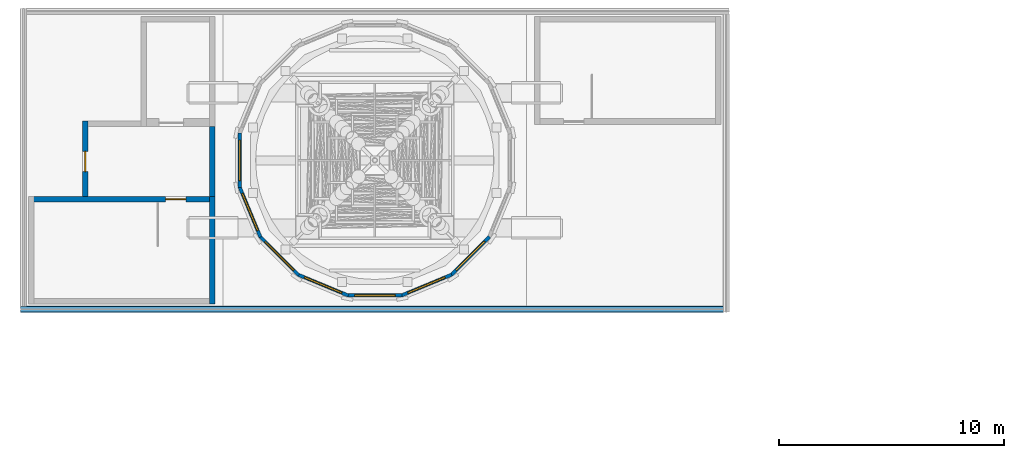
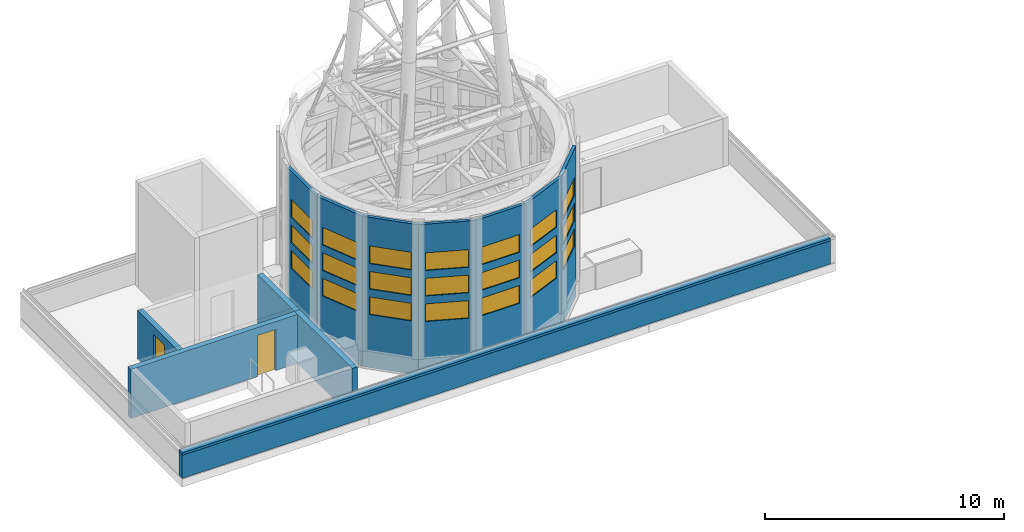
# One storey, part 11 of 36: 21 windows, 13 walls, 2 doors, 23 openings.
"""IFC4 building model written with IfcOpenShell, lengths in metres."""

from ifc_helpers import new_model, si_unit, direction, frame, frame_2d, origin, place, context, subcontext, project, spatial, rectangle, extrude, material, layer, layer_set, type_object, element, fill, save


model = new_model("IFC4")

# Units and contexts
model_context = context("Model", 3, precision=1e-05, world=origin(), true_north=direction((0.0, 1.0)))
body_context = subcontext(model_context, "Body", "Model", "MODEL_VIEW")
ifc_project = project(units=[si_unit("LENGTHUNIT", "METRE"), si_unit("AREAUNIT", "SQUARE_METRE"), si_unit("VOLUMEUNIT", "CUBIC_METRE"), si_unit("PLANEANGLEUNIT", "RADIAN"), si_unit("MASSUNIT", "GRAM", prefix="KILO")], contexts=[model_context])

# Site, building, storey
site_placement = place(None, origin())
site = spatial("IfcSite", under=ifc_project, at=site_placement, CompositionType="ELEMENT")
building_placement = place(site_placement, origin())
building = spatial("IfcBuilding", under=site, at=building_placement, Name="Ipe Terrace Towers", CompositionType="ELEMENT")
storey_placement = place(building_placement, frame((0.0, 0.0, 264.89990234375)))
storey = spatial("IfcBuildingStorey", under=building, at=storey_placement, Name="Roof", CompositionType="ELEMENT", Elevation=264.89990234375)

# Walls
ifc_material_1 = material(Name="Concrete C40/50 with buff precast cladding", Category="concrete")
ifc_layer_1 = layer(ifc_material_1, 0.300048828125)
ifc_layer_set_1 = layer_set([ifc_layer_1], Name="PARAPET COPING 300")
wall_type_1 = type_object("IfcWallType", Name="PARAPET COPING 300", PredefinedType="STANDARD", material=ifc_layer_set_1)
wall_1_placement = place(storey_placement, frame((-51.75, -6.625, 1.239990234375), z_axis=(0.0, 0.0, 1.0), x_axis=(1.0, 0.0, 0.0)))
element("IfcWall", 1, at=wall_1_placement, inside=storey, type_object=wall_type_1, Name="parapet stone coping", PredefinedType="STANDARD", context=body_context, shape_type="SweptSolid", body=[
    extrude(rectangle(XDim=31.25, YDim=0.300048828125, at=frame_2d((15.625, 0.0))), origin(), (0.0, 0.0, 1.0), 0.1201171875),
])
ifc_material_2 = material(Name="Concrete C40/50 with buff precast cladding", Category="concrete")
ifc_layer_2 = layer(ifc_material_2, 0.25)
ifc_layer_set_2 = layer_set([ifc_layer_2], Name="PARAPET WALL 250")
wall_type_2 = type_object("IfcWallType", Name="PARAPET WALL 250", PredefinedType="STANDARD", material=ifc_layer_set_2)
wall_2_placement = place(storey_placement, frame((-51.75, -6.625, 0.0400390625), z_axis=(0.0, 0.0, 1.0), x_axis=(1.0, 0.0, 0.0)))
element("IfcWall", 2, at=wall_2_placement, inside=storey, type_object=wall_type_2, Name="parapet", PredefinedType="STANDARD", context=body_context, shape_type="SweptSolid", body=[
    extrude(rectangle(XDim=31.25, YDim=0.25, at=frame_2d((15.625, 0.0))), origin(), (0.0, 0.0, 1.0), 1.199951171875),
])

# Wall, openings, windows
ifc_material_3 = material(Name="Concrete C40/50 with buff precast cladding", Category="concrete")
ifc_layer_3 = layer(ifc_material_3, 0.14990234375)
ifc_layer_set_3 = layer_set([ifc_layer_3], Name="PLANT DRUM WALL 150")
wall_type_3 = type_object("IfcWallType", Name="PLANT DRUM WALL 150", PredefinedType="STANDARD", material=ifc_layer_set_3)
wall_3_placement = place(storey_placement, frame((-42.006103515625, 1.2099609375, 0.0400390625), z_axis=(0.0, 0.0, 1.0), x_axis=(0.0, -1.0, 0.0)))
wall_3 = element("IfcWall", 3, at=wall_3_placement, inside=storey, type_object=wall_type_3, Name="plant drum wall", PredefinedType="STANDARD", context=body_context, shape_type="SweptSolid", body=[
    extrude(rectangle(XDim=2.419921875, YDim=0.14990234375, at=frame_2d((1.2099609375, 0.0))), origin(), (0.0, 0.0, 1.0), 7.66015625),
])
opening_1_placement = place(wall_3_placement, frame((0.31005859375, 0.0, 2.699951171875)))
opening_1 = element("IfcOpeningElement", 4, at=opening_1_placement, cuts=wall_3, Name="Opening T1-W-04-DR-071", PredefinedType="OPENING", context=body_context, shape_type="SweptSolid", body=[
    extrude(rectangle(XDim=1.800048828125, YDim=0.89990234375, at=frame_2d((0.89990234375, 0.449951171875))), frame((0.0, 0.0849609375, 0.0), z_axis=(0.0, -1.0, 0.0), x_axis=(1.0, 0.0, 0.0)), (0.0, 0.0, 1.0), 0.169921875),
])
opening_2_placement = place(wall_3_placement, frame((0.31005859375, 0.0, 4.0)))
opening_2 = element("IfcOpeningElement", 5, at=opening_2_placement, cuts=wall_3, Name="Opening T1-W-04-DR-072", PredefinedType="OPENING", context=body_context, shape_type="SweptSolid", body=[
    extrude(rectangle(XDim=1.800048828125, YDim=0.89990234375, at=frame_2d((0.89990234375, 0.449951171875))), frame((0.0, 0.0849609375, 0.0), z_axis=(0.0, -1.0, 0.0), x_axis=(1.0, 0.0, 0.0)), (0.0, 0.0, 1.0), 0.169921875),
])
opening_3_placement = place(wall_3_placement, frame((0.31005859375, 0.0, 5.300048828125)))
opening_3 = element("IfcOpeningElement", 6, at=opening_3_placement, cuts=wall_3, Name="Opening T1-W-04-DR-073", PredefinedType="OPENING", context=body_context, shape_type="SweptSolid", body=[
    extrude(rectangle(XDim=1.800048828125, YDim=0.89990234375, at=frame_2d((0.89990234375, 0.449951171875))), frame((0.0, 0.0849609375, 0.0), z_axis=(0.0, -1.0, 0.0), x_axis=(1.0, 0.0, 0.0)), (0.0, 0.0, 1.0), 0.169921875),
])
ifc_material_4 = material(Name="Aluminium alloy 6063-T6 louvre", Category="aluminium")
window_type = type_object("IfcWindowType", Name="LOUVRE WINDOW 1800 x 900", PartitioningType="SINGLE_PANEL", PredefinedType="WINDOW", material=ifc_material_4)
window_1_placement = place(opening_1_placement, origin())
window_1 = element("IfcWindow", 7, at=window_1_placement, inside=storey, type_object=window_type, Name="W-04 window", OverallHeight=0.89990234375, OverallWidth=1.800048828125, PartitioningType="SINGLE_PANEL", PredefinedType="WINDOW", context=body_context, shape_type="SweptSolid", body=[
    extrude(rectangle(XDim=1.800048828125, YDim=0.89990234375, at=frame_2d((0.89990234375, 0.449951171875))), frame((0.0, 0.030029296875, 0.0), z_axis=(0.0, -1.0, 0.0), x_axis=(1.0, 0.0, 0.0)), (0.0, 0.0, 1.0), 0.06005859375),
])
fill(opening_1, window_1)
window_2_placement = place(opening_2_placement, origin())
window_2 = element("IfcWindow", 8, at=window_2_placement, inside=storey, type_object=window_type, Name="W-04 window", OverallHeight=0.89990234375, OverallWidth=1.800048828125, PartitioningType="SINGLE_PANEL", PredefinedType="WINDOW", context=body_context, shape_type="SweptSolid", body=[
    extrude(rectangle(XDim=1.800048828125, YDim=0.89990234375, at=frame_2d((0.89990234375, 0.449951171875))), frame((0.0, 0.030029296875, 0.0), z_axis=(0.0, -1.0, 0.0), x_axis=(1.0, 0.0, 0.0)), (0.0, 0.0, 1.0), 0.06005859375),
])
fill(opening_2, window_2)
window_3_placement = place(opening_3_placement, origin())
window_3 = element("IfcWindow", 9, at=window_3_placement, inside=storey, type_object=window_type, Name="W-04 window", OverallHeight=0.89990234375, OverallWidth=1.800048828125, PartitioningType="SINGLE_PANEL", PredefinedType="WINDOW", context=body_context, shape_type="SweptSolid", body=[
    extrude(rectangle(XDim=1.800048828125, YDim=0.89990234375, at=frame_2d((0.89990234375, 0.449951171875))), frame((0.0, 0.030029296875, 0.0), z_axis=(0.0, -1.0, 0.0), x_axis=(1.0, 0.0, 0.0)), (0.0, 0.0, 1.0), 0.06005859375),
])
fill(opening_3, window_3)

wall_4_placement = place(storey_placement, frame((-42.011962890625, -1.180908203125, 0.0400390625), z_axis=(0.0, 0.0, 1.0), x_axis=(0.382758783979, -0.923848317251, 0.0)))
wall_4 = element("IfcWall", 10, at=wall_4_placement, inside=storey, type_object=wall_type_3, Name="plant drum wall", PredefinedType="STANDARD", context=body_context, shape_type="SweptSolid", body=[
    extrude(rectangle(XDim=2.41943359375, YDim=0.14990234375, at=frame_2d((1.209716796875, 0.0))), origin(), (0.0, 0.0, 1.0), 7.66015625),
])
opening_4_placement = place(wall_4_placement, frame((0.31005859375, 0.0, 2.699951171875)))
opening_4 = element("IfcOpeningElement", 11, at=opening_4_placement, cuts=wall_4, Name="Opening T1-W-04-DR-081", PredefinedType="OPENING", context=body_context, shape_type="SweptSolid", body=[
    extrude(rectangle(XDim=1.800048828125, YDim=0.89990234375, at=frame_2d((0.89990234375, 0.449951171875))), frame((0.0, 0.0849609375, 0.0), z_axis=(0.0, -1.0, 0.0), x_axis=(1.0, 0.0, 0.0)), (0.0, 0.0, 1.0), 0.169921875),
])
opening_5_placement = place(wall_4_placement, frame((0.31005859375, 0.0, 4.0)))
opening_5 = element("IfcOpeningElement", 12, at=opening_5_placement, cuts=wall_4, Name="Opening T1-W-04-DR-082", PredefinedType="OPENING", context=body_context, shape_type="SweptSolid", body=[
    extrude(rectangle(XDim=1.800048828125, YDim=0.89990234375, at=frame_2d((0.89990234375, 0.449951171875))), frame((0.0, 0.0849609375, 0.0), z_axis=(0.0, -1.0, 0.0), x_axis=(1.0, 0.0, 0.0)), (0.0, 0.0, 1.0), 0.169921875),
])
opening_6_placement = place(wall_4_placement, frame((0.31005859375, 0.0, 5.300048828125)))
opening_6 = element("IfcOpeningElement", 13, at=opening_6_placement, cuts=wall_4, Name="Opening T1-W-04-DR-083", PredefinedType="OPENING", context=body_context, shape_type="SweptSolid", body=[
    extrude(rectangle(XDim=1.800048828125, YDim=0.89990234375, at=frame_2d((0.89990234375, 0.449951171875))), frame((0.0, 0.0849609375, 0.0), z_axis=(0.0, -1.0, 0.0), x_axis=(1.0, 0.0, 0.0)), (0.0, 0.0, 1.0), 0.169921875),
])
window_4_placement = place(opening_4_placement, origin())
window_4 = element("IfcWindow", 14, at=window_4_placement, inside=storey, type_object=window_type, Name="W-04 window", OverallHeight=0.89990234375, OverallWidth=1.800048828125, PartitioningType="SINGLE_PANEL", PredefinedType="WINDOW", context=body_context, shape_type="SweptSolid", body=[
    extrude(rectangle(XDim=1.800048828125, YDim=0.89990234375, at=frame_2d((0.89990234375, 0.449951171875))), frame((0.0, 0.030029296875, 0.0), z_axis=(0.0, -1.0, 0.0), x_axis=(1.0, 0.0, 0.0)), (0.0, 0.0, 1.0), 0.06005859375),
])
fill(opening_4, window_4)
window_5_placement = place(opening_5_placement, origin())
window_5 = element("IfcWindow", 15, at=window_5_placement, inside=storey, type_object=window_type, Name="W-04 window", OverallHeight=0.89990234375, OverallWidth=1.800048828125, PartitioningType="SINGLE_PANEL", PredefinedType="WINDOW", context=body_context, shape_type="SweptSolid", body=[
    extrude(rectangle(XDim=1.800048828125, YDim=0.89990234375, at=frame_2d((0.89990234375, 0.449951171875))), frame((0.0, 0.030029296875, 0.0), z_axis=(0.0, -1.0, 0.0), x_axis=(1.0, 0.0, 0.0)), (0.0, 0.0, 1.0), 0.06005859375),
])
fill(opening_5, window_5)
window_6_placement = place(opening_6_placement, origin())
window_6 = element("IfcWindow", 16, at=window_6_placement, inside=storey, type_object=window_type, Name="W-04 window", OverallHeight=0.89990234375, OverallWidth=1.800048828125, PartitioningType="SINGLE_PANEL", PredefinedType="WINDOW", context=body_context, shape_type="SweptSolid", body=[
    extrude(rectangle(XDim=1.800048828125, YDim=0.89990234375, at=frame_2d((0.89990234375, 0.449951171875))), frame((0.0, 0.030029296875, 0.0), z_axis=(0.0, -1.0, 0.0), x_axis=(1.0, 0.0, 0.0)), (0.0, 0.0, 1.0), 0.06005859375),
])
fill(opening_6, window_6)

wall_5_placement = place(storey_placement, frame((-41.10205078125, -3.39208984375, 0.0400390625), z_axis=(0.0, 0.0, 1.0), x_axis=(0.707106781187, -0.707106781187, 0.0)))
wall_5 = element("IfcWall", 17, at=wall_5_placement, inside=storey, type_object=wall_type_3, Name="plant drum wall", PredefinedType="STANDARD", context=body_context, shape_type="SweptSolid", body=[
    extrude(rectangle(XDim=2.418212890625, YDim=0.14990234375, at=frame_2d((1.208984375, 0.0))), origin(), (0.0, 0.0, 1.0), 7.66015625),
])
opening_7_placement = place(wall_5_placement, frame((0.31005859375, 0.0, 2.699951171875)))
opening_7 = element("IfcOpeningElement", 18, at=opening_7_placement, cuts=wall_5, Name="Opening T1-W-04-DR-091", PredefinedType="OPENING", context=body_context, shape_type="SweptSolid", body=[
    extrude(rectangle(XDim=1.800048828125, YDim=0.89990234375, at=frame_2d((0.89990234375, 0.449951171875))), frame((0.0, 0.0849609375, 0.0), z_axis=(0.0, -1.0, 0.0), x_axis=(1.0, 0.0, 0.0)), (0.0, 0.0, 1.0), 0.169921875),
])
opening_8_placement = place(wall_5_placement, frame((0.31005859375, 0.0, 4.0)))
opening_8 = element("IfcOpeningElement", 19, at=opening_8_placement, cuts=wall_5, Name="Opening T1-W-04-DR-092", PredefinedType="OPENING", context=body_context, shape_type="SweptSolid", body=[
    extrude(rectangle(XDim=1.800048828125, YDim=0.89990234375, at=frame_2d((0.89990234375, 0.449951171875))), frame((0.0, 0.0849609375, 0.0), z_axis=(0.0, -1.0, 0.0), x_axis=(1.0, 0.0, 0.0)), (0.0, 0.0, 1.0), 0.169921875),
])
opening_9_placement = place(wall_5_placement, frame((0.31005859375, 0.0, 5.300048828125)))
opening_9 = element("IfcOpeningElement", 20, at=opening_9_placement, cuts=wall_5, Name="Opening T1-W-04-DR-093", PredefinedType="OPENING", context=body_context, shape_type="SweptSolid", body=[
    extrude(rectangle(XDim=1.800048828125, YDim=0.89990234375, at=frame_2d((0.89990234375, 0.449951171875))), frame((0.0, 0.0849609375, 0.0), z_axis=(0.0, -1.0, 0.0), x_axis=(1.0, 0.0, 0.0)), (0.0, 0.0, 1.0), 0.169921875),
])
window_7_placement = place(opening_7_placement, origin())
window_7 = element("IfcWindow", 21, at=window_7_placement, inside=storey, type_object=window_type, Name="W-04 window", OverallHeight=0.89990234375, OverallWidth=1.800048828125, PartitioningType="SINGLE_PANEL", PredefinedType="WINDOW", context=body_context, shape_type="SweptSolid", body=[
    extrude(rectangle(XDim=1.800048828125, YDim=0.89990234375, at=frame_2d((0.89990234375, 0.449951171875))), frame((0.0, 0.030029296875, 0.0), z_axis=(0.0, -1.0, 0.0), x_axis=(1.0, 0.0, 0.0)), (0.0, 0.0, 1.0), 0.06005859375),
])
fill(opening_7, window_7)
window_8_placement = place(opening_8_placement, origin())
window_8 = element("IfcWindow", 22, at=window_8_placement, inside=storey, type_object=window_type, Name="W-04 window", OverallHeight=0.89990234375, OverallWidth=1.800048828125, PartitioningType="SINGLE_PANEL", PredefinedType="WINDOW", context=body_context, shape_type="SweptSolid", body=[
    extrude(rectangle(XDim=1.800048828125, YDim=0.89990234375, at=frame_2d((0.89990234375, 0.449951171875))), frame((0.0, 0.030029296875, 0.0), z_axis=(0.0, -1.0, 0.0), x_axis=(1.0, 0.0, 0.0)), (0.0, 0.0, 1.0), 0.06005859375),
])
fill(opening_8, window_8)
window_9_placement = place(opening_9_placement, origin())
window_9 = element("IfcWindow", 23, at=window_9_placement, inside=storey, type_object=window_type, Name="W-04 window", OverallHeight=0.89990234375, OverallWidth=1.800048828125, PartitioningType="SINGLE_PANEL", PredefinedType="WINDOW", context=body_context, shape_type="SweptSolid", body=[
    extrude(rectangle(XDim=1.800048828125, YDim=0.89990234375, at=frame_2d((0.89990234375, 0.449951171875))), frame((0.0, 0.030029296875, 0.0), z_axis=(0.0, -1.0, 0.0), x_axis=(1.0, 0.0, 0.0)), (0.0, 0.0, 1.0), 0.06005859375),
])
fill(opening_9, window_9)

wall_6_placement = place(storey_placement, frame((-39.416015625, -5.0859375, 0.0400390625), z_axis=(0.0, 0.0, 1.0), x_axis=(0.923848317251, -0.382758783979, 0.0)))
wall_6 = element("IfcWall", 24, at=wall_6_placement, inside=storey, type_object=wall_type_3, Name="plant drum wall", PredefinedType="STANDARD", context=body_context, shape_type="SweptSolid", body=[
    extrude(rectangle(XDim=2.41943359375, YDim=0.14990234375, at=frame_2d((1.209716796875, 0.0))), origin(), (0.0, 0.0, 1.0), 7.66015625),
])
opening_10_placement = place(wall_6_placement, frame((0.31005859375, 0.0, 2.699951171875)))
opening_10 = element("IfcOpeningElement", 25, at=opening_10_placement, cuts=wall_6, Name="Opening T1-W-04-DR-101", PredefinedType="OPENING", context=body_context, shape_type="SweptSolid", body=[
    extrude(rectangle(XDim=1.800048828125, YDim=0.89990234375, at=frame_2d((0.89990234375, 0.449951171875))), frame((0.0, 0.0849609375, 0.0), z_axis=(0.0, -1.0, 0.0), x_axis=(1.0, 0.0, 0.0)), (0.0, 0.0, 1.0), 0.169921875),
])
opening_11_placement = place(wall_6_placement, frame((0.31005859375, 0.0, 4.0)))
opening_11 = element("IfcOpeningElement", 26, at=opening_11_placement, cuts=wall_6, Name="Opening T1-W-04-DR-102", PredefinedType="OPENING", context=body_context, shape_type="SweptSolid", body=[
    extrude(rectangle(XDim=1.800048828125, YDim=0.89990234375, at=frame_2d((0.89990234375, 0.449951171875))), frame((0.0, 0.0849609375, 0.0), z_axis=(0.0, -1.0, 0.0), x_axis=(1.0, 0.0, 0.0)), (0.0, 0.0, 1.0), 0.169921875),
])
opening_12_placement = place(wall_6_placement, frame((0.31005859375, 0.0, 5.300048828125)))
opening_12 = element("IfcOpeningElement", 27, at=opening_12_placement, cuts=wall_6, Name="Opening T1-W-04-DR-103", PredefinedType="OPENING", context=body_context, shape_type="SweptSolid", body=[
    extrude(rectangle(XDim=1.800048828125, YDim=0.89990234375, at=frame_2d((0.89990234375, 0.449951171875))), frame((0.0, 0.0849609375, 0.0), z_axis=(0.0, -1.0, 0.0), x_axis=(1.0, 0.0, 0.0)), (0.0, 0.0, 1.0), 0.169921875),
])
window_10_placement = place(opening_10_placement, origin())
window_10 = element("IfcWindow", 28, at=window_10_placement, inside=storey, type_object=window_type, Name="W-04 window", OverallHeight=0.89990234375, OverallWidth=1.800048828125, PartitioningType="SINGLE_PANEL", PredefinedType="WINDOW", context=body_context, shape_type="SweptSolid", body=[
    extrude(rectangle(XDim=1.800048828125, YDim=0.89990234375, at=frame_2d((0.89990234375, 0.449951171875))), frame((0.0, 0.030029296875, 0.0), z_axis=(0.0, -1.0, 0.0), x_axis=(1.0, 0.0, 0.0)), (0.0, 0.0, 1.0), 0.06005859375),
])
fill(opening_10, window_10)
window_11_placement = place(opening_11_placement, origin())
window_11 = element("IfcWindow", 29, at=window_11_placement, inside=storey, type_object=window_type, Name="W-04 window", OverallHeight=0.89990234375, OverallWidth=1.800048828125, PartitioningType="SINGLE_PANEL", PredefinedType="WINDOW", context=body_context, shape_type="SweptSolid", body=[
    extrude(rectangle(XDim=1.800048828125, YDim=0.89990234375, at=frame_2d((0.89990234375, 0.449951171875))), frame((0.0, 0.030029296875, 0.0), z_axis=(0.0, -1.0, 0.0), x_axis=(1.0, 0.0, 0.0)), (0.0, 0.0, 1.0), 0.06005859375),
])
fill(opening_11, window_11)
window_12_placement = place(opening_12_placement, origin())
window_12 = element("IfcWindow", 30, at=window_12_placement, inside=storey, type_object=window_type, Name="W-04 window", OverallHeight=0.89990234375, OverallWidth=1.800048828125, PartitioningType="SINGLE_PANEL", PredefinedType="WINDOW", context=body_context, shape_type="SweptSolid", body=[
    extrude(rectangle(XDim=1.800048828125, YDim=0.89990234375, at=frame_2d((0.89990234375, 0.449951171875))), frame((0.0, 0.030029296875, 0.0), z_axis=(0.0, -1.0, 0.0), x_axis=(1.0, 0.0, 0.0)), (0.0, 0.0, 1.0), 0.06005859375),
])
fill(opening_12, window_12)

wall_7_placement = place(storey_placement, frame((-37.2099609375, -6.006103515625, 0.0400390625), z_axis=(0.0, 0.0, 1.0), x_axis=(1.0, 0.0, 0.0)))
wall_7 = element("IfcWall", 31, at=wall_7_placement, inside=storey, type_object=wall_type_3, Name="plant drum wall", PredefinedType="STANDARD", context=body_context, shape_type="SweptSolid", body=[
    extrude(rectangle(XDim=2.419921875, YDim=0.14990234375, at=frame_2d((1.2099609375, 0.0))), origin(), (0.0, 0.0, 1.0), 7.66015625),
])
opening_13_placement = place(wall_7_placement, frame((0.31005859375, 0.0, 2.699951171875)))
opening_13 = element("IfcOpeningElement", 32, at=opening_13_placement, cuts=wall_7, Name="Opening T1-W-04-DR-111", PredefinedType="OPENING", context=body_context, shape_type="SweptSolid", body=[
    extrude(rectangle(XDim=1.800048828125, YDim=0.89990234375, at=frame_2d((0.89990234375, 0.449951171875))), frame((0.0, 0.0849609375, 0.0), z_axis=(0.0, -1.0, 0.0), x_axis=(1.0, 0.0, 0.0)), (0.0, 0.0, 1.0), 0.169921875),
])
opening_14_placement = place(wall_7_placement, frame((0.31005859375, 0.0, 4.0)))
opening_14 = element("IfcOpeningElement", 33, at=opening_14_placement, cuts=wall_7, Name="Opening T1-W-04-DR-112", PredefinedType="OPENING", context=body_context, shape_type="SweptSolid", body=[
    extrude(rectangle(XDim=1.800048828125, YDim=0.89990234375, at=frame_2d((0.89990234375, 0.449951171875))), frame((0.0, 0.0849609375, 0.0), z_axis=(0.0, -1.0, 0.0), x_axis=(1.0, 0.0, 0.0)), (0.0, 0.0, 1.0), 0.169921875),
])
opening_15_placement = place(wall_7_placement, frame((0.31005859375, 0.0, 5.300048828125)))
opening_15 = element("IfcOpeningElement", 34, at=opening_15_placement, cuts=wall_7, Name="Opening T1-W-04-DR-113", PredefinedType="OPENING", context=body_context, shape_type="SweptSolid", body=[
    extrude(rectangle(XDim=1.800048828125, YDim=0.89990234375, at=frame_2d((0.89990234375, 0.449951171875))), frame((0.0, 0.0849609375, 0.0), z_axis=(0.0, -1.0, 0.0), x_axis=(1.0, 0.0, 0.0)), (0.0, 0.0, 1.0), 0.169921875),
])
window_13_placement = place(opening_13_placement, origin())
window_13 = element("IfcWindow", 35, at=window_13_placement, inside=storey, type_object=window_type, Name="W-04 window", OverallHeight=0.89990234375, OverallWidth=1.800048828125, PartitioningType="SINGLE_PANEL", PredefinedType="WINDOW", context=body_context, shape_type="SweptSolid", body=[
    extrude(rectangle(XDim=1.800048828125, YDim=0.89990234375, at=frame_2d((0.89990234375, 0.449951171875))), frame((0.0, 0.030029296875, 0.0), z_axis=(0.0, -1.0, 0.0), x_axis=(1.0, 0.0, 0.0)), (0.0, 0.0, 1.0), 0.06005859375),
])
fill(opening_13, window_13)
window_14_placement = place(opening_14_placement, origin())
window_14 = element("IfcWindow", 36, at=window_14_placement, inside=storey, type_object=window_type, Name="W-04 window", OverallHeight=0.89990234375, OverallWidth=1.800048828125, PartitioningType="SINGLE_PANEL", PredefinedType="WINDOW", context=body_context, shape_type="SweptSolid", body=[
    extrude(rectangle(XDim=1.800048828125, YDim=0.89990234375, at=frame_2d((0.89990234375, 0.449951171875))), frame((0.0, 0.030029296875, 0.0), z_axis=(0.0, -1.0, 0.0), x_axis=(1.0, 0.0, 0.0)), (0.0, 0.0, 1.0), 0.06005859375),
])
fill(opening_14, window_14)
window_15_placement = place(opening_15_placement, origin())
window_15 = element("IfcWindow", 37, at=window_15_placement, inside=storey, type_object=window_type, Name="W-04 window", OverallHeight=0.89990234375, OverallWidth=1.800048828125, PartitioningType="SINGLE_PANEL", PredefinedType="WINDOW", context=body_context, shape_type="SweptSolid", body=[
    extrude(rectangle(XDim=1.800048828125, YDim=0.89990234375, at=frame_2d((0.89990234375, 0.449951171875))), frame((0.0, 0.030029296875, 0.0), z_axis=(0.0, -1.0, 0.0), x_axis=(1.0, 0.0, 0.0)), (0.0, 0.0, 1.0), 0.06005859375),
])
fill(opening_15, window_15)

wall_8_placement = place(storey_placement, frame((-34.819091796875, -6.011962890625, 0.0400390625), z_axis=(0.0, 0.0, 1.0), x_axis=(0.923848317251, 0.382758783979, 0.0)))
wall_8 = element("IfcWall", 38, at=wall_8_placement, inside=storey, type_object=wall_type_3, Name="plant drum wall", PredefinedType="STANDARD", context=body_context, shape_type="SweptSolid", body=[
    extrude(rectangle(XDim=2.41943359375, YDim=0.14990234375, at=frame_2d((1.209716796875, 0.0))), origin(), (0.0, 0.0, 1.0), 7.66015625),
])
opening_16_placement = place(wall_8_placement, frame((0.31005859375, 0.0, 2.699951171875)))
opening_16 = element("IfcOpeningElement", 39, at=opening_16_placement, cuts=wall_8, Name="Opening T1-W-04-DR-121", PredefinedType="OPENING", context=body_context, shape_type="SweptSolid", body=[
    extrude(rectangle(XDim=1.800048828125, YDim=0.89990234375, at=frame_2d((0.89990234375, 0.449951171875))), frame((0.0, 0.0849609375, 0.0), z_axis=(0.0, -1.0, 0.0), x_axis=(1.0, 0.0, 0.0)), (0.0, 0.0, 1.0), 0.169921875),
])
opening_17_placement = place(wall_8_placement, frame((0.31005859375, 0.0, 4.0)))
opening_17 = element("IfcOpeningElement", 40, at=opening_17_placement, cuts=wall_8, Name="Opening T1-W-04-DR-122", PredefinedType="OPENING", context=body_context, shape_type="SweptSolid", body=[
    extrude(rectangle(XDim=1.800048828125, YDim=0.89990234375, at=frame_2d((0.89990234375, 0.449951171875))), frame((0.0, 0.0849609375, 0.0), z_axis=(0.0, -1.0, 0.0), x_axis=(1.0, 0.0, 0.0)), (0.0, 0.0, 1.0), 0.169921875),
])
opening_18_placement = place(wall_8_placement, frame((0.31005859375, 0.0, 5.300048828125)))
opening_18 = element("IfcOpeningElement", 41, at=opening_18_placement, cuts=wall_8, Name="Opening T1-W-04-DR-123", PredefinedType="OPENING", context=body_context, shape_type="SweptSolid", body=[
    extrude(rectangle(XDim=1.800048828125, YDim=0.89990234375, at=frame_2d((0.89990234375, 0.449951171875))), frame((0.0, 0.0849609375, 0.0), z_axis=(0.0, -1.0, 0.0), x_axis=(1.0, 0.0, 0.0)), (0.0, 0.0, 1.0), 0.169921875),
])
window_16_placement = place(opening_16_placement, origin())
window_16 = element("IfcWindow", 42, at=window_16_placement, inside=storey, type_object=window_type, Name="W-04 window", OverallHeight=0.89990234375, OverallWidth=1.800048828125, PartitioningType="SINGLE_PANEL", PredefinedType="WINDOW", context=body_context, shape_type="SweptSolid", body=[
    extrude(rectangle(XDim=1.800048828125, YDim=0.89990234375, at=frame_2d((0.89990234375, 0.449951171875))), frame((0.0, 0.030029296875, 0.0), z_axis=(0.0, -1.0, 0.0), x_axis=(1.0, 0.0, 0.0)), (0.0, 0.0, 1.0), 0.06005859375),
])
fill(opening_16, window_16)
window_17_placement = place(opening_17_placement, origin())
window_17 = element("IfcWindow", 43, at=window_17_placement, inside=storey, type_object=window_type, Name="W-04 window", OverallHeight=0.89990234375, OverallWidth=1.800048828125, PartitioningType="SINGLE_PANEL", PredefinedType="WINDOW", context=body_context, shape_type="SweptSolid", body=[
    extrude(rectangle(XDim=1.800048828125, YDim=0.89990234375, at=frame_2d((0.89990234375, 0.449951171875))), frame((0.0, 0.030029296875, 0.0), z_axis=(0.0, -1.0, 0.0), x_axis=(1.0, 0.0, 0.0)), (0.0, 0.0, 1.0), 0.06005859375),
])
fill(opening_17, window_17)
window_18_placement = place(opening_18_placement, origin())
window_18 = element("IfcWindow", 44, at=window_18_placement, inside=storey, type_object=window_type, Name="W-04 window", OverallHeight=0.89990234375, OverallWidth=1.800048828125, PartitioningType="SINGLE_PANEL", PredefinedType="WINDOW", context=body_context, shape_type="SweptSolid", body=[
    extrude(rectangle(XDim=1.800048828125, YDim=0.89990234375, at=frame_2d((0.89990234375, 0.449951171875))), frame((0.0, 0.030029296875, 0.0), z_axis=(0.0, -1.0, 0.0), x_axis=(1.0, 0.0, 0.0)), (0.0, 0.0, 1.0), 0.06005859375),
])
fill(opening_18, window_18)

wall_9_placement = place(storey_placement, frame((-32.60791015625, -5.10205078125, 0.0400390625), z_axis=(0.0, 0.0, 1.0), x_axis=(0.707106781187, 0.707106781187, 0.0)))
wall_9 = element("IfcWall", 45, at=wall_9_placement, inside=storey, type_object=wall_type_3, Name="plant drum wall", PredefinedType="STANDARD", context=body_context, shape_type="SweptSolid", body=[
    extrude(rectangle(XDim=2.418212890625, YDim=0.14990234375, at=frame_2d((1.208984375, 0.0))), origin(), (0.0, 0.0, 1.0), 7.66015625),
])
opening_19_placement = place(wall_9_placement, frame((0.31005859375, 0.0, 2.699951171875)))
opening_19 = element("IfcOpeningElement", 46, at=opening_19_placement, cuts=wall_9, Name="Opening T1-W-04-DR-131", PredefinedType="OPENING", context=body_context, shape_type="SweptSolid", body=[
    extrude(rectangle(XDim=1.800048828125, YDim=0.89990234375, at=frame_2d((0.89990234375, 0.449951171875))), frame((0.0, 0.0849609375, 0.0), z_axis=(0.0, -1.0, 0.0), x_axis=(1.0, 0.0, 0.0)), (0.0, 0.0, 1.0), 0.169921875),
])
opening_20_placement = place(wall_9_placement, frame((0.31005859375, 0.0, 4.0)))
opening_20 = element("IfcOpeningElement", 47, at=opening_20_placement, cuts=wall_9, Name="Opening T1-W-04-DR-132", PredefinedType="OPENING", context=body_context, shape_type="SweptSolid", body=[
    extrude(rectangle(XDim=1.800048828125, YDim=0.89990234375, at=frame_2d((0.89990234375, 0.449951171875))), frame((0.0, 0.0849609375, 0.0), z_axis=(0.0, -1.0, 0.0), x_axis=(1.0, 0.0, 0.0)), (0.0, 0.0, 1.0), 0.169921875),
])
opening_21_placement = place(wall_9_placement, frame((0.31005859375, 0.0, 5.300048828125)))
opening_21 = element("IfcOpeningElement", 48, at=opening_21_placement, cuts=wall_9, Name="Opening T1-W-04-DR-133", PredefinedType="OPENING", context=body_context, shape_type="SweptSolid", body=[
    extrude(rectangle(XDim=1.800048828125, YDim=0.89990234375, at=frame_2d((0.89990234375, 0.449951171875))), frame((0.0, 0.0849609375, 0.0), z_axis=(0.0, -1.0, 0.0), x_axis=(1.0, 0.0, 0.0)), (0.0, 0.0, 1.0), 0.169921875),
])
window_19_placement = place(opening_19_placement, origin())
window_19 = element("IfcWindow", 49, at=window_19_placement, inside=storey, type_object=window_type, Name="W-04 window", OverallHeight=0.89990234375, OverallWidth=1.800048828125, PartitioningType="SINGLE_PANEL", PredefinedType="WINDOW", context=body_context, shape_type="SweptSolid", body=[
    extrude(rectangle(XDim=1.800048828125, YDim=0.89990234375, at=frame_2d((0.89990234375, 0.449951171875))), frame((0.0, 0.030029296875, 0.0), z_axis=(0.0, -1.0, 0.0), x_axis=(1.0, 0.0, 0.0)), (0.0, 0.0, 1.0), 0.06005859375),
])
fill(opening_19, window_19)
window_20_placement = place(opening_20_placement, origin())
window_20 = element("IfcWindow", 50, at=window_20_placement, inside=storey, type_object=window_type, Name="W-04 window", OverallHeight=0.89990234375, OverallWidth=1.800048828125, PartitioningType="SINGLE_PANEL", PredefinedType="WINDOW", context=body_context, shape_type="SweptSolid", body=[
    extrude(rectangle(XDim=1.800048828125, YDim=0.89990234375, at=frame_2d((0.89990234375, 0.449951171875))), frame((0.0, 0.030029296875, 0.0), z_axis=(0.0, -1.0, 0.0), x_axis=(1.0, 0.0, 0.0)), (0.0, 0.0, 1.0), 0.06005859375),
])
fill(opening_20, window_20)
window_21_placement = place(opening_21_placement, origin())
window_21 = element("IfcWindow", 51, at=window_21_placement, inside=storey, type_object=window_type, Name="W-04 window", OverallHeight=0.89990234375, OverallWidth=1.800048828125, PartitioningType="SINGLE_PANEL", PredefinedType="WINDOW", context=body_context, shape_type="SweptSolid", body=[
    extrude(rectangle(XDim=1.800048828125, YDim=0.89990234375, at=frame_2d((0.89990234375, 0.449951171875))), frame((0.0, 0.030029296875, 0.0), z_axis=(0.0, -1.0, 0.0), x_axis=(1.0, 0.0, 0.0)), (0.0, 0.0, 1.0), 0.06005859375),
])
fill(opening_21, window_21)

# Wall
ifc_material_5 = material(Name="Concrete C40/50", Category="concrete")
ifc_layer_4 = layer(ifc_material_5, 0.25)
ifc_layer_set_4 = layer_set([ifc_layer_4], Name="RW250 STAIR HEAD-HOUSE WALL 250 C40-50")
wall_type_4 = type_object("IfcWallType", Name="RW250 STAIR HEAD-HOUSE WALL 250 C40-50", PredefinedType="SHEAR", material=ifc_layer_set_4)
wall_10_placement = place(storey_placement, frame((-43.22509765625, -1.60009765625, 0.0), z_axis=(0.0, 0.0, 1.0), x_axis=(0.0, -1.0, 0.0)))
element("IfcWall", 52, at=wall_10_placement, inside=storey, type_object=wall_type_4, Name="Stair head-house wall T1-C2-near", PredefinedType="SHEAR", context=body_context, shape_type="SweptSolid", body=[
    extrude(rectangle(XDim=4.7998046875, YDim=0.25, at=frame_2d((2.39990234375, 0.0))), origin(), (0.0, 0.0, 1.0), 2.5),
])

# Wall, opening, door
wall_11_placement = place(storey_placement, frame((-43.10009765625, -1.72509765625, 0.0), z_axis=(0.0, 0.0, 1.0), x_axis=(-1.0, 0.0, 0.0)))
wall_11 = element("IfcWall", 53, at=wall_11_placement, inside=storey, type_object=wall_type_4, Name="Stair head-house wall T1-C2-spine", PredefinedType="SHEAR", context=body_context, shape_type="SweptSolid", body=[
    extrude(rectangle(XDim=8.2998046875, YDim=0.25, at=frame_2d((4.14990234375, 0.0))), origin(), (0.0, 0.0, 1.0), 2.5),
])
opening_22_placement = place(wall_11_placement, frame((1.300048828125, 0.0, 0.0)))
opening_22 = element("IfcOpeningElement", 54, at=opening_22_placement, cuts=wall_11, Name="Opening T1C2-RD", PredefinedType="OPENING", context=body_context, shape_type="SweptSolid", body=[
    extrude(rectangle(XDim=0.89990234375, YDim=2.10009765625, at=frame_2d((0.449951171875, 1.050048828125))), frame((0.0, 0.135009765625, 0.0), z_axis=(0.0, -1.0, 0.0), x_axis=(1.0, 0.0, 0.0)), (0.0, 0.0, 1.0), 0.27001953125),
])
ifc_material_6 = material(Name="Fire-rated timber door leaf", Category="wood")
door_type_1 = type_object("IfcDoorType", Name="Stair door 900 x 2100 FD60", OperationType="NOTDEFINED", PredefinedType="DOOR", material=ifc_material_6)
door_1_placement = place(opening_22_placement, origin())
door_1 = element("IfcDoor", 55, at=door_1_placement, inside=storey, type_object=door_type_1, Name="Stair door T1C2-RD", OperationType="SINGLE_SWING_LEFT", OverallHeight=2.10009765625, OverallWidth=0.89990234375, PredefinedType="DOOR", context=body_context, shape_type="SweptSolid", body=[
    extrude(rectangle(XDim=0.89990234375, YDim=2.10009765625, at=frame_2d((0.449951171875, 1.050048828125))), frame((0.0, 0.02490234375, 0.0), z_axis=(0.0, -1.0, 0.0), x_axis=(1.0, 0.0, 0.0)), (0.0, 0.0, 1.0), 0.050048828125),
])
fill(opening_22, door_1)

# Wall
wall_12_placement = place(storey_placement, frame((-43.22509765625, 1.5, 0.0), z_axis=(0.0, 0.0, 1.0), x_axis=(0.0, -1.0, 0.0)))
element("IfcWall", 56, at=wall_12_placement, inside=storey, type_object=wall_type_4, Name="Lift head-house wall T1-C2-near-lobby", PredefinedType="SHEAR", context=body_context, shape_type="SweptSolid", body=[
    extrude(rectangle(XDim=3.10009765625, YDim=0.25, at=frame_2d((1.550048828125, 0.0))), origin(), (0.0, 0.0, 1.0), 2.5),
])

# Wall, opening, door
wall_13_placement = place(storey_placement, frame((-48.875, 1.75, 0.0), z_axis=(0.0, 0.0, 1.0), x_axis=(0.0, -1.0, 0.0)))
wall_13 = element("IfcWall", 57, at=wall_13_placement, inside=storey, type_object=wall_type_4, Name="Lift head-house wall T1-C2-far", PredefinedType="SHEAR", context=body_context, shape_type="SweptSolid", body=[
    extrude(rectangle(XDim=3.35009765625, YDim=0.25, at=frame_2d((1.675048828125, 0.0))), origin(), (0.0, 0.0, 1.0), 2.5),
])
opening_23_placement = place(wall_13_placement, frame((1.35009765625, 0.0, 0.0)))
opening_23 = element("IfcOpeningElement", 58, at=opening_23_placement, cuts=wall_13, Name="Opening T1C2-LE", PredefinedType="OPENING", context=body_context, shape_type="SweptSolid", body=[
    extrude(rectangle(XDim=0.89990234375, YDim=2.10009765625, at=frame_2d((0.449951171875, 1.050048828125))), frame((0.0, 0.135009765625, 0.0), z_axis=(0.0, -1.0, 0.0), x_axis=(1.0, 0.0, 0.0)), (0.0, 0.0, 1.0), 0.27001953125),
])
ifc_material_7 = material(Name="Fire-rated timber door leaf", Category="wood")
door_type_2 = type_object("IfcDoorType", Name="Fire door 900 x 2100 FD60", OperationType="NOTDEFINED", PredefinedType="DOOR", material=ifc_material_7)
door_2_placement = place(opening_23_placement, origin())
door_2 = element("IfcDoor", 59, at=door_2_placement, inside=storey, type_object=door_type_2, Name="Fire door T1C2-LE", OperationType="SINGLE_SWING_LEFT", OverallHeight=2.10009765625, OverallWidth=0.89990234375, PredefinedType="DOOR", context=body_context, shape_type="SweptSolid", body=[
    extrude(rectangle(XDim=0.89990234375, YDim=2.10009765625, at=frame_2d((0.449951171875, 1.050048828125))), frame((0.0, 0.02490234375, 0.0), z_axis=(0.0, -1.0, 0.0), x_axis=(1.0, 0.0, 0.0)), (0.0, 0.0, 1.0), 0.050048828125),
])
fill(opening_23, door_2)

save(model, "model.ifc")
